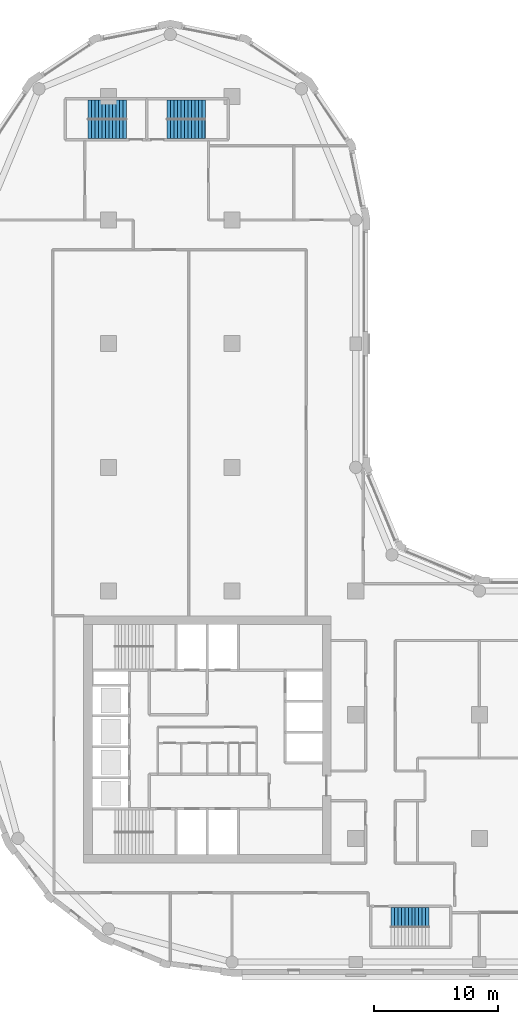
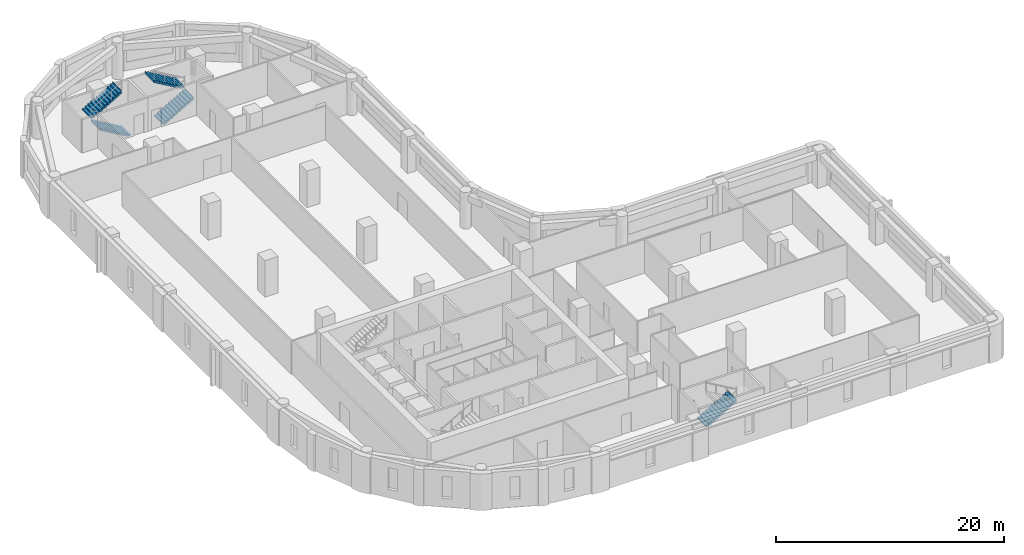
# One storey, part 7 of 9: 5 stair flights, 3 elements without a shape of their own.
"""IFC4 building model written with IfcOpenShell, lengths in metres."""

from ifc_helpers import new_model, si_unit, direction, frame, origin, place, context, subcontext, project, spatial, polyline, outline, extrude, material, type_object, element, aggregate, save


model = new_model("IFC4")

# Units and contexts
model_context = context("Model", 3, precision=1e-05, world=origin(), true_north=direction((0.0, 1.0)))
body_context = subcontext(model_context, "Body", "Model", "MODEL_VIEW")
ifc_project = project(units=[si_unit("LENGTHUNIT", "METRE"), si_unit("AREAUNIT", "SQUARE_METRE"), si_unit("VOLUMEUNIT", "CUBIC_METRE"), si_unit("PLANEANGLEUNIT", "RADIAN"), si_unit("MASSUNIT", "GRAM", prefix="KILO")], contexts=[model_context])

# Site, building, storey
site_placement = place(None, origin())
site = spatial("IfcSite", under=ifc_project, at=site_placement, CompositionType="ELEMENT")
building_placement = place(site_placement, origin())
building = spatial("IfcBuilding", under=site, at=building_placement, Name="Qaws Garden Tower", CompositionType="ELEMENT")
storey_placement = place(building_placement, frame((0.0, 0.0, 151.199951171875)))
storey = spatial("IfcBuildingStorey", under=building, at=storey_placement, Name="L36", CompositionType="ELEMENT", Elevation=151.199951171875)

# Stair, stair flight
ifc_material_1 = material(Name="Concrete C40", Category="concrete")
stair_type = type_object("IfcStairType", Name="Exit stair 1350", PredefinedType="HALF_TURN_STAIR", material=ifc_material_1)
placement = place(storey_placement, origin())
stair_1 = element("IfcStair", 1, at=placement, inside=storey, type_object=stair_type, Name="Stair 5", PredefinedType="HALF_TURN_STAIR")
ifc_material_2 = material(Name="Concrete C40", Category="concrete")
stair_flight_type = type_object("IfcStairFlightType", Name="Stair flight 1350", PredefinedType="STRAIGHT", material=ifc_material_2)
stair_flight_1_placement = place(storey_placement, frame((32.85009765625, 3.625, 0.0), z_axis=(0.0, 0.0, 1.0), x_axis=(1.0, 0.0, 0.0)))
stair_flight_1 = element("IfcStairFlight", 2, at=stair_flight_1_placement, type_object=stair_flight_type, Name="ST5 flight 1", NumberOfRisers=12, NumberOfTreads=11, PredefinedType="STRAIGHT", RiserHeight=0.1625, TreadLength=0.28, context=body_context, shape_type="SweptSolid", body=[
    extrude(outline(polyline([(-0.0029296875, 0.0), (-0.0029296875, 0.16259765625), (0.0, 0.16259765625), (0.280029296875, 0.16259765625), (0.280029296875, 0.324951171875), (0.56005859375, 0.324951171875), (0.56005859375, 0.487548828125), (0.840087890625, 0.487548828125), (0.840087890625, 0.64990234375), (1.1201171875, 0.64990234375), (1.1201171875, 0.8125), (1.39990234375, 0.8125), (1.39990234375, 0.97509765625), (1.679931640625, 0.97509765625), (1.679931640625, 1.137451171875), (1.9599609375, 1.137451171875), (1.9599609375, 1.300048828125), (2.239990234375, 1.300048828125), (2.239990234375, 1.46240234375), (2.52001953125, 1.46240234375), (2.52001953125, 1.625), (2.800048828125, 1.625), (2.800048828125, 1.78759765625), (3.080078125, 1.78759765625), (3.080078125, 1.949951171875), (3.0830078125, 1.949951171875), (3.0830078125, 1.6142578125), (3.080078125, 1.6142578125), (0.298583984375, 0.0), (-0.0029296875, 0.0)])), frame((0.0, 0.77490234375, 0.0), z_axis=(0.0, -1.0, 0.0), x_axis=(1.0, 0.0, 0.0)), (0.0, 0.0, 1.0), 1.550048828125),
])
aggregate(stair_1, [stair_flight_1])

# Stair, stair flights
stair_2 = element("IfcStair", 3, at=placement, inside=storey, type_object=stair_type, Name="Stair 6", PredefinedType="HALF_TURN_STAIR")
stair_flight_2_placement = place(storey_placement, frame((11.449951171875, 67.375, 0.0), z_axis=(0.0, 0.0, 1.0), x_axis=(-1.0, 0.0, 0.0)))
stair_flight_2 = element("IfcStairFlight", 4, at=stair_flight_2_placement, type_object=stair_flight_type, Name="ST6 flight 1", NumberOfRisers=12, NumberOfTreads=11, PredefinedType="STRAIGHT", RiserHeight=0.1625, TreadLength=0.28, context=body_context, shape_type="SweptSolid", body=[
    extrude(outline(polyline([(-0.0029296875, 0.0), (-0.0029296875, 0.16259765625), (0.0, 0.16259765625), (0.280029296875, 0.16259765625), (0.280029296875, 0.324951171875), (0.56005859375, 0.324951171875), (0.56005859375, 0.487548828125), (0.840087890625, 0.487548828125), (0.840087890625, 0.64990234375), (1.1201171875, 0.64990234375), (1.1201171875, 0.8125), (1.39990234375, 0.8125), (1.39990234375, 0.97509765625), (1.679931640625, 0.97509765625), (1.679931640625, 1.137451171875), (1.9599609375, 1.137451171875), (1.9599609375, 1.300048828125), (2.239990234375, 1.300048828125), (2.239990234375, 1.46240234375), (2.52001953125, 1.46240234375), (2.52001953125, 1.625), (2.800048828125, 1.625), (2.800048828125, 1.78759765625), (3.080078125, 1.78759765625), (3.080078125, 1.949951171875), (3.0830078125, 1.949951171875), (3.0830078125, 1.6142578125), (3.080078125, 1.6142578125), (0.298583984375, 0.0), (-0.0029296875, 0.0)])), frame((0.0, 0.77490234375, 0.0), z_axis=(0.0, -1.0, 0.0), x_axis=(1.0, 0.0, 0.0)), (0.0, 0.0, 1.0), 1.550048828125),
])
stair_flight_3_placement = place(storey_placement, frame((8.3701171875, 68.925048828125, 1.949951171875), z_axis=(0.0, 0.0, 1.0), x_axis=(1.0, 0.0, 0.0)))
stair_flight_3 = element("IfcStairFlight", 5, at=stair_flight_3_placement, type_object=stair_flight_type, Name="ST6 flight 2", NumberOfRisers=12, NumberOfTreads=11, PredefinedType="STRAIGHT", RiserHeight=0.1625, TreadLength=0.28, context=body_context, shape_type="SweptSolid", body=[
    extrude(outline(polyline([(-0.0029296875, 0.0), (-0.0029296875, 0.16259765625), (0.0, 0.16259765625), (0.280029296875, 0.16259765625), (0.280029296875, 0.324951171875), (0.56005859375, 0.324951171875), (0.56005859375, 0.487548828125), (0.840087890625, 0.487548828125), (0.840087890625, 0.64990234375), (1.1201171875, 0.64990234375), (1.1201171875, 0.8125), (1.39990234375, 0.8125), (1.39990234375, 0.97509765625), (1.679931640625, 0.97509765625), (1.679931640625, 1.137451171875), (1.9599609375, 1.137451171875), (1.9599609375, 1.300048828125), (2.239990234375, 1.300048828125), (2.239990234375, 1.46240234375), (2.52001953125, 1.46240234375), (2.52001953125, 1.625), (2.800048828125, 1.625), (2.800048828125, 1.78759765625), (3.080078125, 1.78759765625), (3.080078125, 1.949951171875), (3.0830078125, 1.949951171875), (3.0830078125, 1.6142578125), (3.080078125, 1.6142578125), (0.298583984375, 0.0), (-0.0029296875, 0.0)])), frame((0.0, 0.77490234375, 0.0), z_axis=(0.0, -1.0, 0.0), x_axis=(1.0, 0.0, 0.0)), (0.0, 0.0, 1.0), 1.550048828125),
])
aggregate(stair_2, [stair_flight_2, stair_flight_3])

stair_3 = element("IfcStair", 6, at=placement, inside=storey, type_object=stair_type, Name="Stair 7", PredefinedType="HALF_TURN_STAIR")
stair_flight_4_placement = place(storey_placement, frame((14.75, 67.375, 0.0), z_axis=(0.0, 0.0, 1.0), x_axis=(1.0, 0.0, 0.0)))
stair_flight_4 = element("IfcStairFlight", 7, at=stair_flight_4_placement, type_object=stair_flight_type, Name="ST7 flight 1", NumberOfRisers=12, NumberOfTreads=11, PredefinedType="STRAIGHT", RiserHeight=0.1625, TreadLength=0.28, context=body_context, shape_type="SweptSolid", body=[
    extrude(outline(polyline([(-0.0029296875, 0.0), (-0.0029296875, 0.16259765625), (0.0, 0.16259765625), (0.280029296875, 0.16259765625), (0.280029296875, 0.324951171875), (0.56005859375, 0.324951171875), (0.56005859375, 0.487548828125), (0.840087890625, 0.487548828125), (0.840087890625, 0.64990234375), (1.1201171875, 0.64990234375), (1.1201171875, 0.8125), (1.39990234375, 0.8125), (1.39990234375, 0.97509765625), (1.679931640625, 0.97509765625), (1.679931640625, 1.137451171875), (1.9599609375, 1.137451171875), (1.9599609375, 1.300048828125), (2.239990234375, 1.300048828125), (2.239990234375, 1.46240234375), (2.52001953125, 1.46240234375), (2.52001953125, 1.625), (2.800048828125, 1.625), (2.800048828125, 1.78759765625), (3.080078125, 1.78759765625), (3.080078125, 1.949951171875), (3.0830078125, 1.949951171875), (3.0830078125, 1.6142578125), (3.080078125, 1.6142578125), (0.298583984375, 0.0), (-0.0029296875, 0.0)])), frame((0.0, 0.77490234375, 0.0), z_axis=(0.0, -1.0, 0.0), x_axis=(1.0, 0.0, 0.0)), (0.0, 0.0, 1.0), 1.550048828125),
])
stair_flight_5_placement = place(storey_placement, frame((17.830078125, 68.925048828125, 1.949951171875), z_axis=(0.0, 0.0, 1.0), x_axis=(-1.0, 0.0, 0.0)))
stair_flight_5 = element("IfcStairFlight", 8, at=stair_flight_5_placement, type_object=stair_flight_type, Name="ST7 flight 2", NumberOfRisers=12, NumberOfTreads=11, PredefinedType="STRAIGHT", RiserHeight=0.1625, TreadLength=0.28, context=body_context, shape_type="SweptSolid", body=[
    extrude(outline(polyline([(-0.0029296875, 0.0), (-0.0029296875, 0.16259765625), (0.0, 0.16259765625), (0.280029296875, 0.16259765625), (0.280029296875, 0.324951171875), (0.56005859375, 0.324951171875), (0.56005859375, 0.487548828125), (0.840087890625, 0.487548828125), (0.840087890625, 0.64990234375), (1.1201171875, 0.64990234375), (1.1201171875, 0.8125), (1.39990234375, 0.8125), (1.39990234375, 0.97509765625), (1.679931640625, 0.97509765625), (1.679931640625, 1.137451171875), (1.9599609375, 1.137451171875), (1.9599609375, 1.300048828125), (2.239990234375, 1.300048828125), (2.239990234375, 1.46240234375), (2.52001953125, 1.46240234375), (2.52001953125, 1.625), (2.800048828125, 1.625), (2.800048828125, 1.78759765625), (3.080078125, 1.78759765625), (3.080078125, 1.949951171875), (3.0830078125, 1.949951171875), (3.0830078125, 1.6142578125), (3.080078125, 1.6142578125), (0.298583984375, 0.0), (-0.0029296875, 0.0)])), frame((0.0, 0.77490234375, 0.0), z_axis=(0.0, -1.0, 0.0), x_axis=(1.0, 0.0, 0.0)), (0.0, 0.0, 1.0), 1.550048828125),
])
aggregate(stair_3, [stair_flight_4, stair_flight_5])

save(model, "model.ifc")
